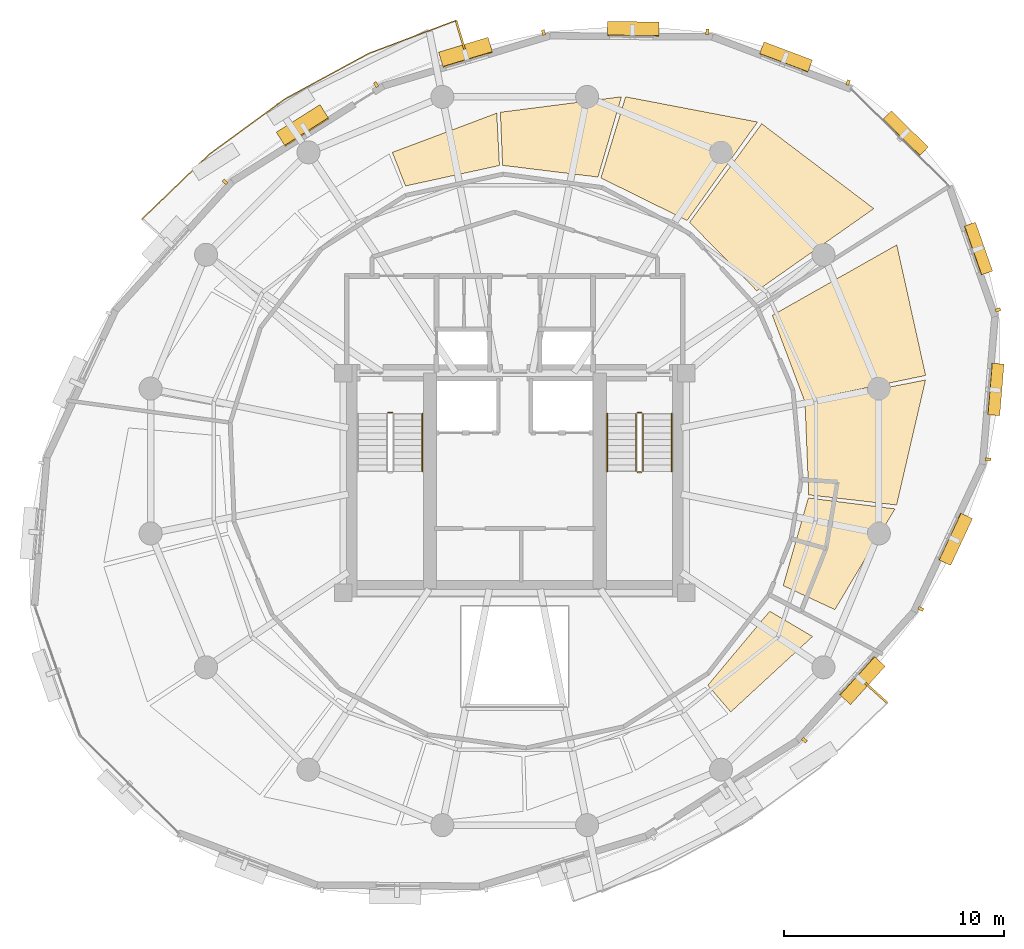
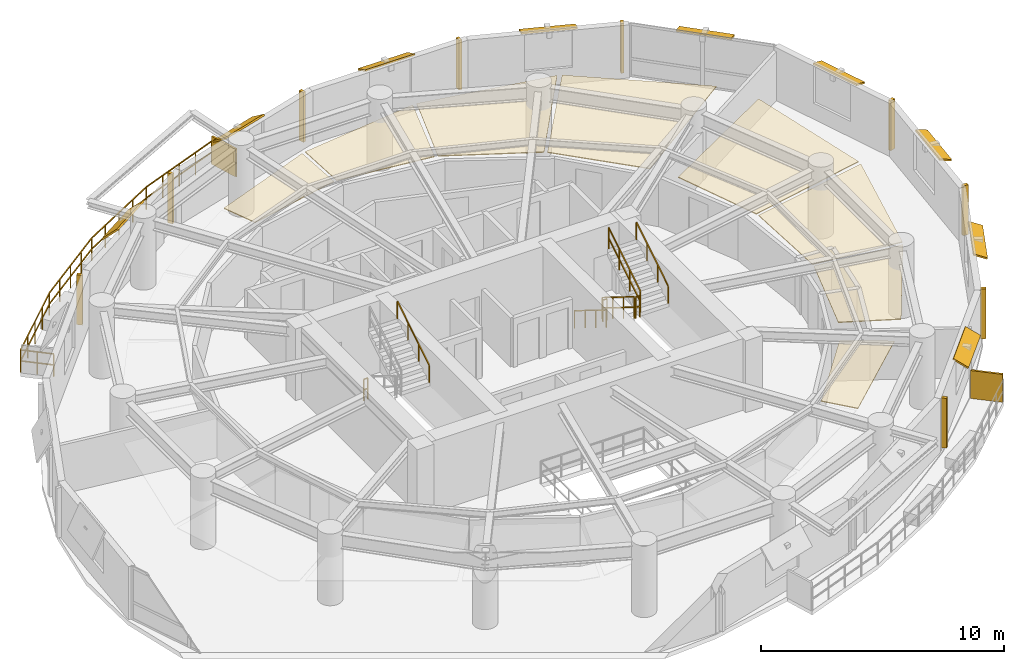
# One storey, part 12 of 12: 20 shading devices, 9 railings, 8 coverings.
"""IFC4 building model written with IfcOpenShell, lengths in metres."""

from ifc_helpers import new_model, si_unit, direction, frame, origin, origin_2d, place, context, subcontext, project, spatial, polyline, rectangle, outline, extrude, material, layer, layer_set, type_object, element, save


model = new_model("IFC4")

# Units and contexts
model_context = context("Model", 3, precision=1e-05, world=origin(), true_north=direction((0.0, 1.0)))
body_context = subcontext(model_context, "Body", "Model", "MODEL_VIEW")
ifc_project = project(units=[si_unit("LENGTHUNIT", "METRE"), si_unit("AREAUNIT", "SQUARE_METRE"), si_unit("VOLUMEUNIT", "CUBIC_METRE"), si_unit("PLANEANGLEUNIT", "RADIAN"), si_unit("MASSUNIT", "GRAM", prefix="KILO"), si_unit("THERMODYNAMICTEMPERATUREUNIT", "KELVIN"), si_unit("POWERUNIT", "WATT")], contexts=[model_context])

# Site, building, storey
site_placement = place(None, origin())
site = spatial("IfcSite", under=ifc_project, at=site_placement, CompositionType="ELEMENT")
building_placement = place(site_placement, origin())
building = spatial("IfcBuilding", under=site, at=building_placement, Name="Ocrelia Relay Tower", CompositionType="ELEMENT")
storey_placement = place(building_placement, frame((0.0, 0.0, 170.0)))
storey = spatial("IfcBuildingStorey", under=building, at=storey_placement, Name="L40", CompositionType="ELEMENT", Elevation=170.0)

# Coverings
ifc_material_1 = material(Name="Mineral-fiber acoustic ceiling tile", Category="gypsum")
ifc_layer_1 = layer(ifc_material_1, 0.0400390625, Name="Mineral-fiber acoustic ceiling tile")
ifc_layer_set_1 = layer_set([ifc_layer_1], Name="Mineral-fiber acoustic ceiling tile")
covering_type_1 = type_object("IfcCoveringType", Name="COV-CEIL-ACOUSTIC", PredefinedType="CEILING", material=ifc_layer_set_1)
covering_1_placement = place(storey_placement, frame((0.0, 0.0, 2.3798828125)))
element("IfcCovering", 1, at=covering_1_placement, inside=storey, type_object=covering_type_1, Name="L40 Spectrum Operations Office Suspended Ceiling 1", PredefinedType="CEILING", context=body_context, shape_type="SweptSolid", body=[
    extrude(outline(polyline([(46.218017578125, 20.32861328125), (48.5732421875, 19.2353515625), (51.3095703125, 23.823486328125), (47.36474609375, 24.319580078125), (46.218017578125, 20.32861328125)])), origin(), (0.0, 0.0, 1.0), 0.0400390625),
])
covering_2_placement = place(storey_placement, frame((0.0, 0.0, 2.3798828125)))
element("IfcCovering", 2, at=covering_2_placement, inside=storey, type_object=covering_type_1, Name="L40 Spectrum Operations Office Suspended Ceiling 2", PredefinedType="CEILING", context=body_context, shape_type="SweptSolid", body=[
    extrude(outline(polyline([(47.381591796875, 24.459716796875), (51.38427734375, 23.998779296875), (52.698974609375, 29.691162109375), (47.215087890625, 28.608642578125), (47.381591796875, 24.459716796875)])), origin(), (0.0, 0.0, 1.0), 0.0400390625),
])
covering_3_placement = place(storey_placement, frame((0.0, 0.0, 2.3798828125)))
element("IfcCovering", 3, at=covering_3_placement, inside=storey, type_object=covering_type_1, Name="L40 Spectrum Operations Office Suspended Ceiling 3", PredefinedType="CEILING", context=body_context, shape_type="SweptSolid", body=[
    extrude(outline(polyline([(47.18701171875, 28.746826171875), (52.705078125, 29.896484375), (51.39111328125, 35.83935546875), (45.7236328125, 32.6328125), (47.18701171875, 28.746826171875)])), origin(), (0.0, 0.0, 1.0), 0.0400390625),
])
covering_4_placement = place(storey_placement, frame((0.0, 0.0, 2.3798828125)))
element("IfcCovering", 4, at=covering_4_placement, inside=storey, type_object=covering_type_1, Name="L40 Cloud Engineering Workspace Suspended Ceiling 1", PredefinedType="CEILING", context=body_context, shape_type="SweptSolid", body=[
    extrude(outline(polyline([(45.0205078125, 33.745361328125), (50.347900390625, 37.489501953125), (45.244140625, 41.35498046875), (41.958251953125, 36.867919921875), (45.0205078125, 33.745361328125)])), origin(), (0.0, 0.0, 1.0), 0.0400390625),
])
covering_5_placement = place(storey_placement, frame((0.0, 0.0, 2.3798828125)))
element("IfcCovering", 5, at=covering_5_placement, inside=storey, type_object=covering_type_1, Name="L40 Cloud Engineering Workspace Suspended Ceiling 2", PredefinedType="CEILING", context=body_context, shape_type="SweptSolid", body=[
    extrude(outline(polyline([(41.843994140625, 36.950439453125), (45.0546875, 41.432861328125), (39.04638671875, 42.580078125), (37.922119140625, 38.88623046875), (41.843994140625, 36.950439453125)])), origin(), (0.0, 0.0, 1.0), 0.0400390625),
])
covering_6_placement = place(storey_placement, frame((0.0, 0.0, 2.3798828125)))
element("IfcCovering", 6, at=covering_6_placement, inside=storey, type_object=covering_type_1, Name="L40 Cloud Engineering Workspace Suspended Ceiling 3", PredefinedType="CEILING", context=body_context, shape_type="SweptSolid", body=[
    extrude(outline(polyline([(37.787109375, 38.9267578125), (38.85791015625, 42.58203125), (33.346435546875, 41.877685546875), (33.446044921875, 39.45849609375), (37.787109375, 38.9267578125)])), origin(), (0.0, 0.0, 1.0), 0.0400390625),
])
covering_7_placement = place(storey_placement, frame((0.0, 0.0, 2.3798828125)))
element("IfcCovering", 7, at=covering_7_placement, inside=storey, type_object=covering_type_1, Name="L40 Cloud Engineering Workspace Suspended Ceiling 4", PredefinedType="CEILING", context=body_context, shape_type="SweptSolid", body=[
    extrude(outline(polyline([(33.30517578125, 39.4521484375), (33.181884765625, 41.8349609375), (28.42578125, 40.048095703125), (29.031982421875, 38.5205078125), (33.30517578125, 39.4521484375)])), origin(), (0.0, 0.0, 1.0), 0.0400390625),
])
ifc_material_2 = material(Name="Cleanroom metal-pan acoustic ceiling", Category="aluminium")
ifc_layer_2 = layer(ifc_material_2, 0.0400390625, Name="Cleanroom metal-pan acoustic ceiling")
ifc_layer_set_2 = layer_set([ifc_layer_2], Name="Cleanroom metal-pan acoustic ceiling")
covering_type_2 = type_object("IfcCoveringType", Name="COV-CEIL-CLEAN", PredefinedType="CEILING", material=ifc_layer_set_2)
covering_8_placement = place(storey_placement, frame((0.0, 0.0, 2.3798828125)))
element("IfcCovering", 8, at=covering_8_placement, inside=storey, type_object=covering_type_2, Name="L40 Protocol Simulation Studio Suspended Ceiling 8", PredefinedType="CEILING", context=body_context, shape_type="SweptSolid", body=[
    extrude(outline(polyline([(42.7880859375, 15.791748046875), (43.832763671875, 14.57861328125), (47.55908203125, 18.01318359375), (45.606201171875, 19.16357421875), (42.7880859375, 15.791748046875)])), origin(), (0.0, 0.0, 1.0), 0.0400390625),
])

# Railings
ifc_material_3 = material(Name="Steel S355 balustrade", Category="steel")
railing_type_1 = type_object("IfcRailingType", Name="RL-EXT-GUARD-1150", PredefinedType="GUARDRAIL", material=ifc_material_3)
railing_1_placement = place(storey_placement, frame((18.06640625, 36.08349609375, 0.0)))
element("IfcRailing", 9, at=railing_1_placement, inside=storey, type_object=railing_type_1, Name="L40 Loggia Balcony Guard Rail B1", PredefinedType="GUARDRAIL", context=body_context, shape_type="SweptSolid", body=[
    extrude(rectangle(XDim=0.048095703125, YDim=0.048095703125, at=origin_2d()), frame((0.0, 0.0, 1.1259765625), z_axis=(-0.7424398704, 0.669912709866, 0.0), x_axis=(-0.669912709866, -0.7424398704, 0.0)), (0.0, 0.0, 1.0), 1.3935546875),
    extrude(rectangle(XDim=0.048095703125, YDim=0.048095703125, at=origin_2d()), frame((0.0, 0.0, 0.574951171875), z_axis=(-0.7424398704, 0.669912709866, 0.0), x_axis=(-0.669912709866, -0.7424398704, 0.0)), (0.0, 0.0, 1.0), 1.3935546875),
    extrude(rectangle(XDim=0.048095703125, YDim=0.048095703125, at=origin_2d()), frame((-1.03466796875, 0.93359375, 1.1259765625), z_axis=(0.720466778225, 0.693489453037, 0.0), x_axis=(-0.693489453037, 0.720466778225, 0.0)), (0.0, 0.0, 1.0), 2.126708984375),
    extrude(rectangle(XDim=0.048095703125, YDim=0.048095703125, at=origin_2d()), frame((-1.03466796875, 0.93359375, 0.574951171875), z_axis=(0.720466778225, 0.693489453037, 0.0), x_axis=(-0.693489453037, 0.720466778225, 0.0)), (0.0, 0.0, 1.0), 2.126708984375),
    extrude(rectangle(XDim=0.048095703125, YDim=0.048095703125, at=origin_2d()), frame((0.49755859375, 2.408447265625, 1.1259765625), z_axis=(0.720411562266, 0.693546812374, 0.0), x_axis=(-0.693546812374, 0.720411562266, 0.0)), (0.0, 0.0, 1.0), 2.12646484375),
    extrude(rectangle(XDim=0.048095703125, YDim=0.048095703125, at=origin_2d()), frame((0.49755859375, 2.408447265625, 0.574951171875), z_axis=(0.720411562266, 0.693546812374, 0.0), x_axis=(-0.693546812374, 0.720411562266, 0.0)), (0.0, 0.0, 1.0), 2.12646484375),
    extrude(rectangle(XDim=0.048095703125, YDim=0.048095703125, at=origin_2d()), frame((2.029541015625, 3.88330078125, 1.1259765625), z_axis=(0.807567975963, 0.589774502839, 0.0), x_axis=(-0.589774502839, 0.807567975963, 0.0)), (0.0, 0.0, 1.0), 4.298828125),
    extrude(rectangle(XDim=0.048095703125, YDim=0.048095703125, at=origin_2d()), frame((2.029541015625, 3.88330078125, 0.574951171875), z_axis=(0.807567975963, 0.589774502839, 0.0), x_axis=(-0.589774502839, 0.807567975963, 0.0)), (0.0, 0.0, 1.0), 4.298828125),
    extrude(rectangle(XDim=0.048095703125, YDim=0.048095703125, at=origin_2d()), frame((5.501220703125, 6.418701171875, 1.1259765625), z_axis=(0.879138325849, 0.476566683711, 0.0), x_axis=(-0.476566683711, 0.879138325849, 0.0)), (0.0, 0.0, 1.0), 4.299072265625),
    extrude(rectangle(XDim=0.048095703125, YDim=0.048095703125, at=origin_2d()), frame((5.501220703125, 6.418701171875, 0.574951171875), z_axis=(0.879138325849, 0.476566683711, 0.0), x_axis=(-0.476566683711, 0.879138325849, 0.0)), (0.0, 0.0, 1.0), 4.299072265625),
    extrude(rectangle(XDim=0.048095703125, YDim=0.048095703125, at=origin_2d()), frame((9.28076171875, 8.467529296875, 1.1259765625), z_axis=(0.935529433223, 0.353248750279, 0.0), x_axis=(-0.353248750279, 0.935529433223, 0.0)), (0.0, 0.0, 1.0), 2.126708984375),
    extrude(rectangle(XDim=0.048095703125, YDim=0.048095703125, at=origin_2d()), frame((9.28076171875, 8.467529296875, 0.574951171875), z_axis=(0.935529433223, 0.353248750279, 0.0), x_axis=(-0.353248750279, 0.935529433223, 0.0)), (0.0, 0.0, 1.0), 2.126708984375),
    extrude(rectangle(XDim=0.048095703125, YDim=0.048095703125, at=origin_2d()), frame((11.270263671875, 9.21875, 1.1259765625), z_axis=(0.935529433223, 0.353248750279, 0.0), x_axis=(-0.353248750279, 0.935529433223, 0.0)), (0.0, 0.0, 1.0), 2.126708984375),
    extrude(rectangle(XDim=0.048095703125, YDim=0.048095703125, at=origin_2d()), frame((11.270263671875, 9.21875, 0.574951171875), z_axis=(0.935529433223, 0.353248750279, 0.0), x_axis=(-0.353248750279, 0.935529433223, 0.0)), (0.0, 0.0, 1.0), 2.126708984375),
    extrude(rectangle(XDim=0.048095703125, YDim=0.048095703125, at=origin_2d()), frame((13.259765625, 9.969970703125, 1.1259765625), z_axis=(0.286640544944, -0.958038202784, 0.0), x_axis=(0.958038202784, 0.286640544944, 0.0)), (0.0, 0.0, 1.0), 1.393310546875),
    extrude(rectangle(XDim=0.048095703125, YDim=0.048095703125, at=origin_2d()), frame((13.259765625, 9.969970703125, 0.574951171875), z_axis=(0.286640544944, -0.958038202784, 0.0), x_axis=(0.958038202784, 0.286640544944, 0.0)), (0.0, 0.0, 1.0), 1.393310546875),
    extrude(rectangle(XDim=0.0419921875, YDim=0.0419921875, at=origin_2d()), origin(), (0.0, 0.0, 1.0), 1.101806640625),
    extrude(rectangle(XDim=0.0419921875, YDim=0.0419921875, at=origin_2d()), frame((-0.517333984375, 0.466796875, 0.0)), (0.0, 0.0, 1.0), 1.101806640625),
    extrude(rectangle(XDim=0.0419921875, YDim=0.0419921875, at=origin_2d()), frame((-1.03466796875, 0.93359375, 0.0)), (0.0, 0.0, 1.0), 1.101806640625),
    extrude(rectangle(XDim=0.0419921875, YDim=0.0419921875, at=origin_2d()), frame((-0.2685546875, 1.6708984375, 0.0)), (0.0, 0.0, 1.0), 1.101806640625),
    extrude(rectangle(XDim=0.0419921875, YDim=0.0419921875, at=origin_2d()), frame((0.49755859375, 2.408447265625, 0.0)), (0.0, 0.0, 1.0), 1.101806640625),
    extrude(rectangle(XDim=0.0419921875, YDim=0.0419921875, at=origin_2d()), frame((1.263671875, 3.14599609375, 0.0)), (0.0, 0.0, 1.0), 1.101806640625),
    extrude(rectangle(XDim=0.0419921875, YDim=0.0419921875, at=origin_2d()), frame((2.029541015625, 3.88330078125, 0.0)), (0.0, 0.0, 1.0), 1.101806640625),
    extrude(rectangle(XDim=0.0419921875, YDim=0.0419921875, at=origin_2d()), frame((2.8974609375, 4.51708984375, 0.0)), (0.0, 0.0, 1.0), 1.101806640625),
    extrude(rectangle(XDim=0.0419921875, YDim=0.0419921875, at=origin_2d()), frame((3.765380859375, 5.15087890625, 0.0)), (0.0, 0.0, 1.0), 1.101806640625),
    extrude(rectangle(XDim=0.0419921875, YDim=0.0419921875, at=origin_2d()), frame((4.63330078125, 5.784912109375, 0.0)), (0.0, 0.0, 1.0), 1.101806640625),
    extrude(rectangle(XDim=0.0419921875, YDim=0.0419921875, at=origin_2d()), frame((5.501220703125, 6.418701171875, 0.0)), (0.0, 0.0, 1.0), 1.101806640625),
    extrude(rectangle(XDim=0.0419921875, YDim=0.0419921875, at=origin_2d()), frame((6.446044921875, 6.930908203125, 0.0)), (0.0, 0.0, 1.0), 1.101806640625),
    extrude(rectangle(XDim=0.0419921875, YDim=0.0419921875, at=origin_2d()), frame((7.39111328125, 7.443115234375, 0.0)), (0.0, 0.0, 1.0), 1.101806640625),
    extrude(rectangle(XDim=0.0419921875, YDim=0.0419921875, at=origin_2d()), frame((8.3359375, 7.955322265625, 0.0)), (0.0, 0.0, 1.0), 1.101806640625),
    extrude(rectangle(XDim=0.0419921875, YDim=0.0419921875, at=origin_2d()), frame((9.28076171875, 8.467529296875, 0.0)), (0.0, 0.0, 1.0), 1.101806640625),
    extrude(rectangle(XDim=0.0419921875, YDim=0.0419921875, at=origin_2d()), frame((10.275390625, 8.84326171875, 0.0)), (0.0, 0.0, 1.0), 1.101806640625),
    extrude(rectangle(XDim=0.0419921875, YDim=0.0419921875, at=origin_2d()), frame((11.270263671875, 9.21875, 0.0)), (0.0, 0.0, 1.0), 1.101806640625),
    extrude(rectangle(XDim=0.0419921875, YDim=0.0419921875, at=origin_2d()), frame((12.26513671875, 9.59423828125, 0.0)), (0.0, 0.0, 1.0), 1.101806640625),
    extrude(rectangle(XDim=0.0419921875, YDim=0.0419921875, at=origin_2d()), frame((13.259765625, 9.969970703125, 0.0)), (0.0, 0.0, 1.0), 1.101806640625),
    extrude(rectangle(XDim=0.0419921875, YDim=0.0419921875, at=origin_2d()), frame((13.45947265625, 9.302490234375, 0.0)), (0.0, 0.0, 1.0), 1.101806640625),
    extrude(rectangle(XDim=0.0419921875, YDim=0.0419921875, at=origin_2d()), frame((13.6591796875, 8.635009765625, 0.0)), (0.0, 0.0, 1.0), 1.101806640625),
])
railing_type_2 = type_object("IfcRailingType", Name="RL-STAIR-GUARD", PredefinedType="GUARDRAIL", material=ifc_material_3)
railing_2_placement = place(storey_placement, frame((28.22998046875, 28.199951171875, 0.0)))
element("IfcRailing", 10, at=railing_2_placement, inside=storey, type_object=railing_type_2, Name="L40 ST1 stair guard 4", PredefinedType="GUARDRAIL", context=body_context, shape_type="SweptSolid", body=[
    extrude(rectangle(XDim=0.048095703125, YDim=0.048095703125, at=origin_2d()), frame((0.0, 0.0, 1.076171875), z_axis=(1.0, 0.0, 0.0), x_axis=(0.0, 1.0, 0.0)), (0.0, 0.0, 1.0), 0.199951171875),
    extrude(rectangle(XDim=0.048095703125, YDim=0.048095703125, at=origin_2d()), frame((0.0, 0.0, 0.550048828125), z_axis=(1.0, 0.0, 0.0), x_axis=(0.0, 1.0, 0.0)), (0.0, 0.0, 1.0), 0.199951171875),
    extrude(rectangle(XDim=0.0419921875, YDim=0.0419921875, at=origin_2d()), origin(), (0.0, 0.0, 1.0), 1.052001953125),
    extrude(rectangle(XDim=0.0419921875, YDim=0.0419921875, at=origin_2d()), frame((0.199951171875, 0.0, 0.0)), (0.0, 0.0, 1.0), 1.052001953125),
])
railing_3_placement = place(storey_placement, frame((39.530029296875, 28.14990234375, 0.179931640625)))
element("IfcRailing", 11, at=railing_3_placement, inside=storey, type_object=railing_type_2, Name="L40 ST2 stair guard 1", PredefinedType="GUARDRAIL", context=body_context, shape_type="SweptSolid", body=[
    extrude(rectangle(XDim=0.048095703125, YDim=0.048095703125, at=origin_2d()), frame((0.0, 0.0, 1.076171875), z_axis=(0.0, -0.849610693518, 0.52741034258), x_axis=(1.0, 0.0, 0.0)), (0.0, 0.0, 1.0), 3.07177734375),
    extrude(rectangle(XDim=0.048095703125, YDim=0.048095703125, at=origin_2d()), frame((0.0, 0.0, 0.550048828125), z_axis=(0.0, -0.849610693518, 0.52741034258), x_axis=(1.0, 0.0, 0.0)), (0.0, 0.0, 1.0), 3.07177734375),
    extrude(rectangle(XDim=0.0419921875, YDim=0.0419921875, at=origin_2d()), origin(), (0.0, 0.0, 1.0), 1.052001953125),
    extrude(rectangle(XDim=0.0419921875, YDim=0.0419921875, at=origin_2d()), frame((0.0, -0.869873046875, 0.5400390625)), (0.0, 0.0, 1.0), 1.052001953125),
    extrude(rectangle(XDim=0.0419921875, YDim=0.0419921875, at=origin_2d()), frame((0.0, -1.739990234375, 1.080078125)), (0.0, 0.0, 1.0), 1.052001953125),
    extrude(rectangle(XDim=0.0419921875, YDim=0.0419921875, at=origin_2d()), frame((0.0, -2.60986328125, 1.6201171875)), (0.0, 0.0, 1.0), 1.052001953125),
])
railing_4_placement = place(storey_placement, frame((39.580078125, 25.489990234375, 1.800048828125)))
element("IfcRailing", 12, at=railing_4_placement, inside=storey, type_object=railing_type_2, Name="L40 ST2 stair guard 2", PredefinedType="GUARDRAIL", context=body_context, shape_type="SweptSolid", body=[
    extrude(rectangle(XDim=0.048095703125, YDim=0.048095703125, at=origin_2d()), frame((0.0, 0.0, 1.076171875), z_axis=(1.0, 0.0, 0.0), x_axis=(0.0, 1.0, 0.0)), (0.0, 0.0, 1.0), 0.199951171875),
    extrude(rectangle(XDim=0.048095703125, YDim=0.048095703125, at=origin_2d()), frame((0.0, 0.0, 0.550048828125), z_axis=(1.0, 0.0, 0.0), x_axis=(0.0, 1.0, 0.0)), (0.0, 0.0, 1.0), 0.199951171875),
    extrude(rectangle(XDim=0.0419921875, YDim=0.0419921875, at=origin_2d()), origin(), (0.0, 0.0, 1.0), 1.052001953125),
    extrude(rectangle(XDim=0.0419921875, YDim=0.0419921875, at=origin_2d()), frame((0.199951171875, 0.0, 0.0)), (0.0, 0.0, 1.0), 1.052001953125),
])
railing_5_placement = place(storey_placement, frame((39.830078125, 25.5400390625, 1.97998046875)))
element("IfcRailing", 13, at=railing_5_placement, inside=storey, type_object=railing_type_2, Name="L40 ST2 stair guard 3", PredefinedType="GUARDRAIL", context=body_context, shape_type="SweptSolid", body=[
    extrude(rectangle(XDim=0.048095703125, YDim=0.048095703125, at=origin_2d()), frame((0.0, 0.0, 1.076171875), z_axis=(0.0, 0.849610693518, 0.52741034258), x_axis=(-1.0, 0.0, 0.0)), (0.0, 0.0, 1.0), 3.07177734375),
    extrude(rectangle(XDim=0.048095703125, YDim=0.048095703125, at=origin_2d()), frame((0.0, 0.0, 0.550048828125), z_axis=(0.0, 0.849610693518, 0.52741034258), x_axis=(-1.0, 0.0, 0.0)), (0.0, 0.0, 1.0), 3.07177734375),
    extrude(rectangle(XDim=0.0419921875, YDim=0.0419921875, at=origin_2d()), origin(), (0.0, 0.0, 1.0), 1.052001953125),
    extrude(rectangle(XDim=0.0419921875, YDim=0.0419921875, at=origin_2d()), frame((0.0, 0.869873046875, 0.5400390625)), (0.0, 0.0, 1.0), 1.052001953125),
    extrude(rectangle(XDim=0.0419921875, YDim=0.0419921875, at=origin_2d()), frame((0.0, 1.739990234375, 1.080078125)), (0.0, 0.0, 1.0), 1.052001953125),
    extrude(rectangle(XDim=0.0419921875, YDim=0.0419921875, at=origin_2d()), frame((0.0, 2.60986328125, 1.6201171875)), (0.0, 0.0, 1.0), 1.052001953125),
])
railing_6_placement = place(storey_placement, frame((39.580078125, 28.199951171875, 0.0)))
element("IfcRailing", 14, at=railing_6_placement, inside=storey, type_object=railing_type_2, Name="L40 ST2 stair guard 4", PredefinedType="GUARDRAIL", context=body_context, shape_type="SweptSolid", body=[
    extrude(rectangle(XDim=0.048095703125, YDim=0.048095703125, at=origin_2d()), frame((0.0, 0.0, 1.076171875), z_axis=(1.0, 0.0, 0.0), x_axis=(0.0, 1.0, 0.0)), (0.0, 0.0, 1.0), 0.199951171875),
    extrude(rectangle(XDim=0.048095703125, YDim=0.048095703125, at=origin_2d()), frame((0.0, 0.0, 0.550048828125), z_axis=(1.0, 0.0, 0.0), x_axis=(0.0, 1.0, 0.0)), (0.0, 0.0, 1.0), 0.199951171875),
    extrude(rectangle(XDim=0.0419921875, YDim=0.0419921875, at=origin_2d()), origin(), (0.0, 0.0, 1.0), 1.052001953125),
    extrude(rectangle(XDim=0.0419921875, YDim=0.0419921875, at=origin_2d()), frame((0.199951171875, 0.0, 0.0)), (0.0, 0.0, 1.0), 1.052001953125),
])
ifc_material_4 = material(Name="Steel S355 tubular handrail", Category="steel")
railing_type_3 = type_object("IfcRailingType", Name="RL-STAIR-HAND", PredefinedType="HANDRAIL", material=ifc_material_4)
railing_7_placement = place(storey_placement, frame((29.800048828125, 25.5400390625, 1.97998046875)))
element("IfcRailing", 15, at=railing_7_placement, inside=storey, type_object=railing_type_3, Name="L40 ST1 stair handrail 2", PredefinedType="HANDRAIL", context=body_context, shape_type="SweptSolid", body=[
    extrude(rectangle(XDim=0.048095703125, YDim=0.048095703125, at=origin_2d()), frame((0.0, 0.0, 0.8759765625), z_axis=(0.0, 0.849610693518, 0.52741034258), x_axis=(-1.0, 0.0, 0.0)), (0.0, 0.0, 1.0), 3.07177734375),
    extrude(rectangle(XDim=0.0419921875, YDim=0.0419921875, at=origin_2d()), origin(), (0.0, 0.0, 1.0), 0.851806640625),
    extrude(rectangle(XDim=0.0419921875, YDim=0.0419921875, at=origin_2d()), frame((0.0, 0.869873046875, 0.5400390625)), (0.0, 0.0, 1.0), 0.851806640625),
    extrude(rectangle(XDim=0.0419921875, YDim=0.0419921875, at=origin_2d()), frame((0.0, 1.739990234375, 1.080078125)), (0.0, 0.0, 1.0), 0.851806640625),
    extrude(rectangle(XDim=0.0419921875, YDim=0.0419921875, at=origin_2d()), frame((0.0, 2.60986328125, 1.6201171875)), (0.0, 0.0, 1.0), 0.851806640625),
])
railing_8_placement = place(storey_placement, frame((38.2099609375, 28.14990234375, 0.179931640625)))
element("IfcRailing", 16, at=railing_8_placement, inside=storey, type_object=railing_type_3, Name="L40 ST2 stair handrail 1", PredefinedType="HANDRAIL", context=body_context, shape_type="SweptSolid", body=[
    extrude(rectangle(XDim=0.048095703125, YDim=0.048095703125, at=origin_2d()), frame((0.0, 0.0, 0.8759765625), z_axis=(0.0, -0.849610693518, 0.52741034258), x_axis=(1.0, 0.0, 0.0)), (0.0, 0.0, 1.0), 3.07177734375),
    extrude(rectangle(XDim=0.0419921875, YDim=0.0419921875, at=origin_2d()), origin(), (0.0, 0.0, 1.0), 0.851806640625),
    extrude(rectangle(XDim=0.0419921875, YDim=0.0419921875, at=origin_2d()), frame((0.0, -0.869873046875, 0.5400390625)), (0.0, 0.0, 1.0), 0.851806640625),
    extrude(rectangle(XDim=0.0419921875, YDim=0.0419921875, at=origin_2d()), frame((0.0, -1.739990234375, 1.080078125)), (0.0, 0.0, 1.0), 0.851806640625),
    extrude(rectangle(XDim=0.0419921875, YDim=0.0419921875, at=origin_2d()), frame((0.0, -2.60986328125, 1.6201171875)), (0.0, 0.0, 1.0), 0.851806640625),
])
railing_9_placement = place(storey_placement, frame((41.14990234375, 25.5400390625, 1.97998046875)))
element("IfcRailing", 17, at=railing_9_placement, inside=storey, type_object=railing_type_3, Name="L40 ST2 stair handrail 2", PredefinedType="HANDRAIL", context=body_context, shape_type="SweptSolid", body=[
    extrude(rectangle(XDim=0.048095703125, YDim=0.048095703125, at=origin_2d()), frame((0.0, 0.0, 0.8759765625), z_axis=(0.0, 0.849610693518, 0.52741034258), x_axis=(-1.0, 0.0, 0.0)), (0.0, 0.0, 1.0), 3.07177734375),
    extrude(rectangle(XDim=0.0419921875, YDim=0.0419921875, at=origin_2d()), origin(), (0.0, 0.0, 1.0), 0.851806640625),
    extrude(rectangle(XDim=0.0419921875, YDim=0.0419921875, at=origin_2d()), frame((0.0, 0.869873046875, 0.5400390625)), (0.0, 0.0, 1.0), 0.851806640625),
    extrude(rectangle(XDim=0.0419921875, YDim=0.0419921875, at=origin_2d()), frame((0.0, 1.739990234375, 1.080078125)), (0.0, 0.0, 1.0), 0.851806640625),
    extrude(rectangle(XDim=0.0419921875, YDim=0.0419921875, at=origin_2d()), frame((0.0, 2.60986328125, 1.6201171875)), (0.0, 0.0, 1.0), 0.851806640625),
])

# Shading devices
ifc_material_5 = material(Name="Perforated oxide terracotta solar screen", Category="masonry")
ifc_layer_3 = layer(ifc_material_5, 0.090087890625, Name="Perforated oxide terracotta solar screen")
ifc_layer_set_3 = layer_set([ifc_layer_3], Name="Perforated oxide terracotta solar screen")
shading_device_type_1 = type_object("IfcShadingDeviceType", Name="SH-BALC-SCREEN", PredefinedType="USERDEFINED", material=ifc_layer_set_3)
for number, where, z_axis, x_axis, name in (
    (18, (31.52587890625, 45.385986328125, 0.0), (0.0, 0.0, 1.0), (-0.286623584204, 0.958043277195, 0.0), "L40 Balcony Perforated Terracotta Screen B1-1"),
    (19, (50.450927734375, 15.44970703125, 0.0), (0.0, 0.0, 1.0), (0.742519334558, -0.66982463213, 0.0), "L40 Balcony Perforated Terracotta Screen B2-2"),
):
    element("IfcShadingDevice", number, at=place(storey_placement, frame(where, z_axis=z_axis, x_axis=x_axis)), inside=storey, type_object=shading_device_type_1, Name=name, ObjectType="SCREEN", PredefinedType="USERDEFINED", context=body_context, shape_type="SweptSolid", body=[
        extrude(rectangle(XDim=1.340087890625, YDim=0.090087890625, at=origin_2d()), origin(), (0.0, 0.0, 1.0), 1.39990234375),
    ])
ifc_material_6 = material(Name="Extruded oxide terracotta vertical baguette", Category="masonry")
shading_device_type_2 = type_object("IfcShadingDeviceType", Name="SH-TERR-BAGUETTE", PredefinedType="USERDEFINED", material=ifc_material_6)
for number, where, z_axis, x_axis, name in (
    (20, (49.17138671875, 43.224609375, 0.080078125), (0.0, 0.0, 1.0), (-0.935712369431, 0.352763889443, 0.0), "L40 Oxide Terracotta Vertical Baguette 02"),
    (21, (42.76513671875, 45.53564453125, 0.080078125), (0.0, 0.0, 1.0), (-0.999976235063, 0.006894150376, 0.0), "L40 Oxide Terracotta Vertical Baguette 03"),
    (22, (35.31005859375, 45.506103515625, 0.080078125), (0.0, 0.0, 1.0), (-0.957615276523, -0.288050311872, 0.0), "L40 Oxide Terracotta Vertical Baguette 04"),
    (23, (27.689208984375, 43.1376953125, 0.080078125), (0.0, 0.0, 1.0), (-0.845263388112, -0.534349889789, 0.0), "L40 Oxide Terracotta Vertical Baguette 05"),
    (24, (20.814208984375, 38.70556640625, 0.080078125), (0.0, 0.0, 1.0), (-0.670961878921, -0.741491845562, 0.0), "L40 Oxide Terracotta Vertical Baguette 06"),
    (25, (47.185791015625, 13.29443359375, 0.080078125), (0.0, 0.0, 1.0), (0.670961878921, 0.741491845562, 0.0), "L40 Oxide Terracotta Vertical Baguette 15"),
    (26, (52.48291015625, 19.26904296875, 0.080078125), (0.0, 0.0, 1.0), (0.422693786677, 0.906272565349, 0.0), "L40 Oxide Terracotta Vertical Baguette 16"),
    (27, (55.549072265625, 26.0732421875, 0.080078125), (0.0, 0.0, 1.0), (0.082698244637, 0.996574633599, 0.0), "L40 Oxide Terracotta Vertical Baguette 17"),
    (28, (55.995361328125, 32.87744140625, 0.080078125), (0.0, 0.0, 1.0), (-0.330844541602, 0.943685270253, 0.0), "L40 Oxide Terracotta Vertical Baguette 18"),
):
    element("IfcShadingDevice", number, at=place(storey_placement, frame(where, z_axis=z_axis, x_axis=x_axis)), inside=storey, type_object=shading_device_type_2, Name=name, ObjectType="BAGUETTE", PredefinedType="USERDEFINED", context=body_context, shape_type="SweptSolid", body=[
        extrude(rectangle(XDim=0.139892578125, YDim=0.239990234375, at=origin_2d()), origin(), (0.0, 0.0, 1.0), 2.5),
    ])
ifc_material_7 = material(Name="Extruded oxide terracotta fin", Category="masonry")
ifc_layer_4 = layer(ifc_material_7, 0.080078125, Name="Extruded oxide terracotta fin")
ifc_layer_set_4 = layer_set([ifc_layer_4], Name="Extruded oxide terracotta fin")
shading_device_type_3 = type_object("IfcShadingDeviceType", Name="SH-VISOR-FIN-MED", PredefinedType="USERDEFINED", material=ifc_layer_set_4)
shading_device_1_placement = place(storey_placement, frame((31.7705078125, 44.579833984375, 2.467041015625), z_axis=(-0.163277767834, 0.542812412797, 0.823829506054), x_axis=(-0.957615276523, -0.288050311872, 0.0)))
element("IfcShadingDevice", 29, at=shading_device_1_placement, inside=storey, type_object=shading_device_type_3, Name="L40 Canted Terracotta Sun-Visor Fin 04", ObjectType="FIN", PredefinedType="USERDEFINED", context=body_context, shape_type="SweptSolid", body=[
    extrude(rectangle(XDim=2.35009765625, YDim=0.824951171875, at=origin_2d()), origin(), (0.0, 0.0, 1.0), 0.080078125),
])
shading_device_2_placement = place(storey_placement, frame((24.3603515625, 41.24853515625, 2.4716796875), z_axis=(-0.378172016406, 0.598212830179, 0.706489444944), x_axis=(-0.845263388112, -0.534349889789, 0.0)))
element("IfcShadingDevice", 30, at=shading_device_2_placement, inside=storey, type_object=shading_device_type_3, Name="L40 Canted Terracotta Sun-Visor Fin 05", ObjectType="FIN", PredefinedType="USERDEFINED", context=body_context, shape_type="SweptSolid", body=[
    extrude(rectangle(XDim=2.35009765625, YDim=1.0009765625, at=origin_2d()), origin(), (0.0, 0.0, 1.0), 0.080078125),
])
ifc_layer_5 = layer(ifc_material_7, 0.080078125, Name="Extruded oxide terracotta fin")
ifc_layer_set_5 = layer_set([ifc_layer_5], Name="Extruded oxide terracotta fin")
shading_device_type_4 = type_object("IfcShadingDeviceType", Name="SH-VISOR-FIN-SHAL", PredefinedType="USERDEFINED", material=ifc_layer_set_5)
shading_device_3_placement = place(storey_placement, frame((51.781494140625, 40.9091796875, 2.462158203125), z_axis=(0.226992960939, 0.229221402509, 0.946536710496), x_axis=(-0.710552264425, 0.70364442691, 0.0)))
element("IfcShadingDevice", 31, at=shading_device_3_placement, inside=storey, type_object=shading_device_type_4, Name="L40 Canted Terracotta Sun-Visor Fin 01", ObjectType="FIN", PredefinedType="USERDEFINED", context=body_context, shape_type="SweptSolid", body=[
    extrude(rectangle(XDim=2.35009765625, YDim=0.56396484375, at=origin_2d()), origin(), (0.0, 0.0, 1.0), 0.080078125),
])
shading_device_4_placement = place(storey_placement, frame((46.338134765625, 44.374755859375, 2.462646484375), z_axis=(0.129059227541, 0.342331852023, 0.930673207349), x_axis=(-0.935712369431, 0.352763889443, 0.0)))
element("IfcShadingDevice", 32, at=shading_device_4_placement, inside=storey, type_object=shading_device_type_4, Name="L40 Canted Terracotta Sun-Visor Fin 02", ObjectType="FIN", PredefinedType="USERDEFINED", context=body_context, shape_type="SweptSolid", body=[
    extrude(rectangle(XDim=2.35009765625, YDim=0.60791015625, at=origin_2d()), origin(), (0.0, 0.0, 1.0), 0.080078125),
])
shading_device_5_placement = place(storey_placement, frame((39.398193359375, 45.652587890625, 2.464111328125), z_axis=(0.00307184673, 0.445562333364, 0.895245648325), x_axis=(-0.999976235063, 0.006894150376, 0.0)))
element("IfcShadingDevice", 33, at=shading_device_5_placement, inside=storey, type_object=shading_device_type_4, Name="L40 Canted Terracotta Sun-Visor Fin 03", ObjectType="FIN", PredefinedType="USERDEFINED", context=body_context, shape_type="SweptSolid", body=[
    extrude(rectangle(XDim=2.35009765625, YDim=0.69091796875, at=origin_2d()), origin(), (0.0, 0.0, 1.0), 0.080078125),
])
shading_device_6_placement = place(storey_placement, frame((49.808349609375, 16.02783203125, 2.465087890625), z_axis=(0.359708735523, -0.325493598473, 0.874450423376), x_axis=(0.670961878921, 0.741491845562, 0.0)))
element("IfcShadingDevice", 34, at=shading_device_6_placement, inside=storey, type_object=shading_device_type_4, Name="L40 Canted Terracotta Sun-Visor Fin 15", ObjectType="FIN", PredefinedType="USERDEFINED", context=body_context, shape_type="SweptSolid", body=[
    extrude(rectangle(XDim=2.35009765625, YDim=0.73388671875, at=origin_2d()), origin(), (0.0, 0.0, 1.0), 0.080078125),
])
shading_device_7_placement = place(storey_placement, frame((54.052001953125, 22.44873046875, 2.462890625), z_axis=(0.344622298566, -0.160734981863, 0.924878228167), x_axis=(0.422693786677, 0.906272565349, 0.0)))
element("IfcShadingDevice", 35, at=shading_device_7_placement, inside=storey, type_object=shading_device_type_4, Name="L40 Canted Terracotta Sun-Visor Fin 16", ObjectType="FIN", PredefinedType="USERDEFINED", context=body_context, shape_type="SweptSolid", body=[
    extrude(rectangle(XDim=2.35009765625, YDim=0.623046875, at=origin_2d()), origin(), (0.0, 0.0, 1.0), 0.080078125),
])
shading_device_8_placement = place(storey_placement, frame((55.881103515625, 29.261962890625, 2.462158203125), z_axis=(0.324288500444, -0.026910267268, 0.94557538356), x_axis=(0.082698244637, 0.996574633599, 0.0)))
element("IfcShadingDevice", 36, at=shading_device_8_placement, inside=storey, type_object=shading_device_type_4, Name="L40 Canted Terracotta Sun-Visor Fin 17", ObjectType="FIN", PredefinedType="USERDEFINED", context=body_context, shape_type="SweptSolid", body=[
    extrude(rectangle(XDim=2.35009765625, YDim=0.56689453125, at=origin_2d()), origin(), (0.0, 0.0, 1.0), 0.080078125),
])
shading_device_9_placement = place(storey_placement, frame((55.09228515625, 35.666015625, 2.4619140625), z_axis=(0.291614785849, 0.102236585851, 0.951056516295), x_axis=(-0.330844541602, 0.943685270253, 0.0)))
element("IfcShadingDevice", 37, at=shading_device_9_placement, inside=storey, type_object=shading_device_type_4, Name="L40 Canted Terracotta Sun-Visor Fin 18", ObjectType="FIN", PredefinedType="USERDEFINED", context=body_context, shape_type="SweptSolid", body=[
    extrude(rectangle(XDim=2.35009765625, YDim=0.550048828125, at=origin_2d()), origin(), (0.0, 0.0, 1.0), 0.080078125),
])

save(model, "model.ifc")
